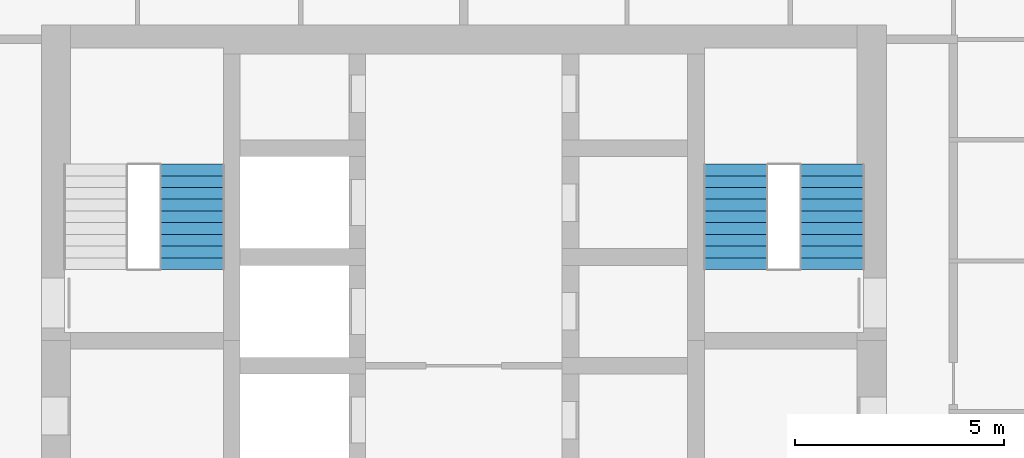
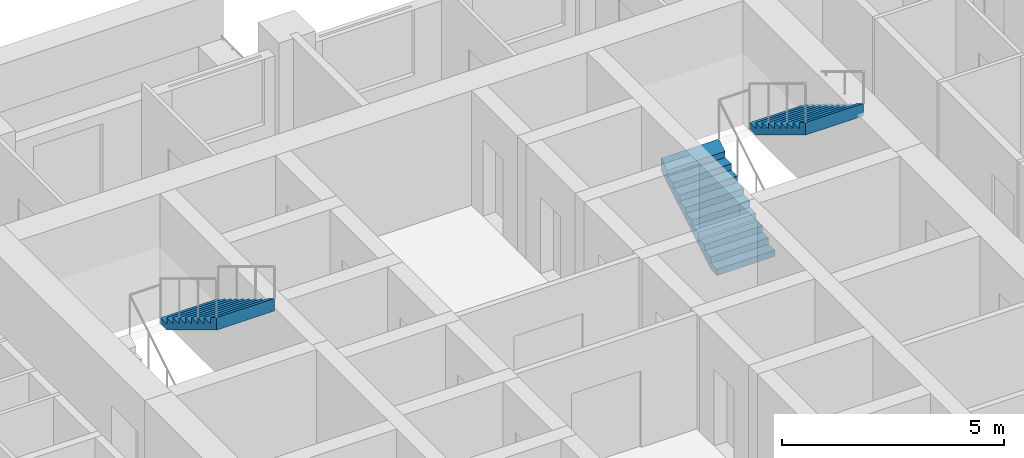
# One storey, part 16 of 19: 3 stair flights, 2 elements without a shape of their own.
"""IFC4 building model written with IfcOpenShell, lengths in metres."""

from ifc_helpers import new_model, si_unit, direction, frame, origin, place, context, subcontext, project, spatial, triangles, material, type_object, element, aggregate, save


model = new_model("IFC4")

# Units and contexts
model_context = context("Model", 3, precision=1e-05, world=origin(), true_north=direction((0.0, 1.0)))
body_context = subcontext(model_context, "Body", "Model", "MODEL_VIEW")
ifc_project = project(units=[si_unit("LENGTHUNIT", "METRE"), si_unit("AREAUNIT", "SQUARE_METRE"), si_unit("VOLUMEUNIT", "CUBIC_METRE"), si_unit("PLANEANGLEUNIT", "RADIAN"), si_unit("MASSUNIT", "GRAM", prefix="KILO")], contexts=[model_context])

# Site, building, storey
site_placement = place(None, origin())
site = spatial("IfcSite", under=ifc_project, at=site_placement, CompositionType="ELEMENT")
building_placement = place(site_placement, origin())
building = spatial("IfcBuilding", under=site, at=building_placement, Name="Ludao Terraces", CompositionType="ELEMENT")
storey_placement = place(building_placement, frame((0.0, 0.0, 68.199951171875)))
storey = spatial("IfcBuildingStorey", under=building, at=storey_placement, Name="L18", CompositionType="ELEMENT", Elevation=68.199951171875)

# Stair, stair flight
ifc_material = material(Name="Concrete C40", Category="concrete")
stair_type = type_object("IfcStairType", Name="INT Stair", PredefinedType="HALF_TURN_STAIR", material=ifc_material)
stair_1_placement = place(storey_placement, origin())
stair_1 = element("IfcStair", 1, at=stair_1_placement, inside=storey, type_object=stair_type, Name="EXIT STAIR 1", PredefinedType="HALF_TURN_STAIR")
stair_flight_type = type_object("IfcStairFlightType", Name="INT Stair flight", PredefinedType="STRAIGHT", material=ifc_material)
stair_flight_1_placement = place(storey_placement, frame((78.5, 81.52001953125, 1.699951171875), z_axis=(0.0, 0.0, 1.0), x_axis=(0.0, -1.0, 0.0)))
stair_flight_1 = element("IfcStairFlight", 2, at=stair_flight_1_placement, type_object=stair_flight_type, Name="ST1 flight 2", NumberOfRisers=10, NumberOfTreads=9, PredefinedType="STRAIGHT", RiserHeight=0.17, TreadLength=0.28, context=body_context, shape_type="Tessellation", body=[
    triangles([(0.0, -0.75, 0.0), (0.0, -0.5, 0.0), (0.0, -0.25, 0.0), (0.0, 0.0, 0.0), (0.0, 0.25, 0.0), (0.0, 0.5, 0.0), (0.0, 0.75, 0.0), (0.0, -0.75, 0.169921875), (0.0, -0.5, 0.169921875), (0.0, -0.25, 0.169921875), (0.0, 0.0, 0.169921875), (0.0, 0.25, 0.169921875), (0.0, 0.5, 0.169921875), (0.0, 0.75, 0.169921875), (0.280029296875, -0.75, 0.169921875), (0.280029296875, -0.5, 0.169921875), (0.280029296875, -0.25, 0.169921875), (0.280029296875, 0.0, 0.169921875), (0.280029296875, 0.25, 0.169921875), (0.280029296875, 0.5, 0.169921875), (0.280029296875, 0.75, 0.169921875), (0.280029296875, -0.75, 0.340087890625), (0.280029296875, -0.5, 0.340087890625), (0.280029296875, -0.25, 0.340087890625), (0.280029296875, 0.0, 0.340087890625), (0.280029296875, 0.25, 0.340087890625), (0.280029296875, 0.5, 0.340087890625), (0.280029296875, 0.75, 0.340087890625), (0.56005859375, -0.75, 0.340087890625), (0.56005859375, -0.5, 0.340087890625), (0.56005859375, -0.25, 0.340087890625), (0.56005859375, 0.0, 0.340087890625), (0.56005859375, 0.25, 0.340087890625), (0.56005859375, 0.5, 0.340087890625), (0.56005859375, 0.75, 0.340087890625), (0.56005859375, -0.75, 0.510009765625), (0.56005859375, -0.5, 0.510009765625), (0.56005859375, -0.25, 0.510009765625), (0.56005859375, 0.0, 0.510009765625), (0.56005859375, 0.25, 0.510009765625), (0.56005859375, 0.5, 0.510009765625), (0.56005859375, 0.75, 0.510009765625), (0.840087890625, -0.75, 0.510009765625), (0.840087890625, -0.5, 0.510009765625), (0.840087890625, -0.25, 0.510009765625), (0.840087890625, 0.0, 0.510009765625), (0.840087890625, 0.25, 0.510009765625), (0.840087890625, 0.5, 0.510009765625), (0.840087890625, 0.75, 0.510009765625), (0.840087890625, -0.75, 0.679931640625), (0.840087890625, -0.5, 0.679931640625), (0.840087890625, -0.25, 0.679931640625), (0.840087890625, 0.0, 0.679931640625), (0.840087890625, 0.25, 0.679931640625), (0.840087890625, 0.5, 0.679931640625), (0.840087890625, 0.75, 0.679931640625), (1.1201171875, -0.75, 0.679931640625), (1.1201171875, -0.5, 0.679931640625), (1.1201171875, -0.25, 0.679931640625), (1.1201171875, 0.0, 0.679931640625), (1.1201171875, 0.25, 0.679931640625), (1.1201171875, 0.5, 0.679931640625), (1.1201171875, 0.75, 0.679931640625), (1.1201171875, -0.75, 0.85009765625), (1.1201171875, -0.5, 0.85009765625), (1.1201171875, -0.25, 0.85009765625), (1.1201171875, 0.0, 0.85009765625), (1.1201171875, 0.25, 0.85009765625), (1.1201171875, 0.5, 0.85009765625), (1.1201171875, 0.75, 0.85009765625), (1.39990234375, -0.75, 0.85009765625), (1.39990234375, -0.5, 0.85009765625), (1.39990234375, -0.25, 0.85009765625), (1.39990234375, 0.0, 0.85009765625), (1.39990234375, 0.25, 0.85009765625), (1.39990234375, 0.5, 0.85009765625), (1.39990234375, 0.75, 0.85009765625), (1.39990234375, -0.75, 1.02001953125), (1.39990234375, -0.5, 1.02001953125), (1.39990234375, -0.25, 1.02001953125), (1.39990234375, 0.0, 1.02001953125), (1.39990234375, 0.25, 1.02001953125), (1.39990234375, 0.5, 1.02001953125), (1.39990234375, 0.75, 1.02001953125), (1.679931640625, -0.75, 1.02001953125), (1.679931640625, -0.5, 1.02001953125), (1.679931640625, -0.25, 1.02001953125), (1.679931640625, 0.0, 1.02001953125), (1.679931640625, 0.25, 1.02001953125), (1.679931640625, 0.5, 1.02001953125), (1.679931640625, 0.75, 1.02001953125), (1.679931640625, -0.75, 1.18994140625), (1.679931640625, -0.5, 1.18994140625), (1.679931640625, -0.25, 1.18994140625), (1.679931640625, 0.0, 1.18994140625), (1.679931640625, 0.25, 1.18994140625), (1.679931640625, 0.5, 1.18994140625), (1.679931640625, 0.75, 1.18994140625), (1.9599609375, -0.75, 1.18994140625), (1.9599609375, -0.5, 1.18994140625), (1.9599609375, -0.25, 1.18994140625), (1.9599609375, 0.0, 1.18994140625), (1.9599609375, 0.25, 1.18994140625), (1.9599609375, 0.5, 1.18994140625), (1.9599609375, 0.75, 1.18994140625), (1.9599609375, -0.75, 1.360107421875), (1.9599609375, -0.5, 1.360107421875), (1.9599609375, -0.25, 1.360107421875), (1.9599609375, 0.0, 1.360107421875), (1.9599609375, 0.25, 1.360107421875), (1.9599609375, 0.5, 1.360107421875), (1.9599609375, 0.75, 1.360107421875), (2.239990234375, -0.75, 1.360107421875), (2.239990234375, -0.5, 1.360107421875), (2.239990234375, -0.25, 1.360107421875), (2.239990234375, 0.0, 1.360107421875), (2.239990234375, 0.25, 1.360107421875), (2.239990234375, 0.5, 1.360107421875), (2.239990234375, 0.75, 1.360107421875), (2.239990234375, -0.75, 1.530029296875), (2.239990234375, -0.5, 1.530029296875), (2.239990234375, -0.25, 1.530029296875), (2.239990234375, 0.0, 1.530029296875), (2.239990234375, 0.25, 1.530029296875), (2.239990234375, 0.5, 1.530029296875), (2.239990234375, 0.75, 1.530029296875), (2.52001953125, -0.75, 1.699951171875), (2.52001953125, -0.5, 1.699951171875), (2.52001953125, -0.25, 1.699951171875), (2.52001953125, 0.0, 1.699951171875), (2.52001953125, 0.25, 1.699951171875), (2.52001953125, 0.5, 1.699951171875), (2.52001953125, 0.75, 1.699951171875), (2.52001953125, -0.75, 1.354736328125), (2.52001953125, -0.5, 1.354736328125), (2.52001953125, -0.25, 1.354736328125), (2.52001953125, 0.0, 1.354736328125), (2.52001953125, 0.25, 1.354736328125), (2.52001953125, 0.5, 1.354736328125), (2.52001953125, 0.75, 1.354736328125), (0.288818359375, -0.75, 0.0), (0.288818359375, -0.5, 0.0), (0.288818359375, -0.25, 0.0), (0.288818359375, 0.0, 0.0), (0.288818359375, 0.25, 0.0), (0.288818359375, 0.5, 0.0), (0.288818359375, 0.75, 0.0)], [[1, 141, 134], [7, 140, 147], [134, 127, 120], [140, 126, 133], [134, 120, 113], [140, 119, 126], [134, 113, 106], [140, 112, 119], [134, 106, 99], [140, 105, 112], [99, 92, 85], [105, 91, 98], [134, 99, 85], [140, 91, 105], [85, 78, 71], [91, 77, 84], [134, 85, 71], [140, 77, 91], [71, 64, 57], [77, 63, 70], [134, 71, 57], [140, 63, 77], [57, 50, 43], [63, 49, 56], [134, 57, 43], [140, 49, 63], [43, 36, 29], [49, 35, 42], [134, 43, 29], [140, 35, 49], [29, 22, 15], [35, 21, 28], [134, 29, 15], [140, 21, 35], [1, 134, 15], [7, 21, 140], [15, 8, 1], [21, 7, 14], [1, 9, 2], [1, 8, 9], [2, 10, 3], [2, 9, 10], [3, 11, 4], [3, 10, 11], [4, 12, 5], [4, 11, 12], [5, 13, 6], [5, 12, 13], [6, 14, 7], [6, 13, 14], [8, 16, 9], [8, 15, 16], [9, 17, 10], [9, 16, 17], [10, 18, 11], [10, 17, 18], [11, 19, 12], [11, 18, 19], [12, 20, 13], [12, 19, 20], [13, 21, 14], [13, 20, 21], [15, 23, 16], [15, 22, 23], [16, 24, 17], [16, 23, 24], [17, 25, 18], [17, 24, 25], [18, 26, 19], [18, 25, 26], [19, 27, 20], [19, 26, 27], [20, 28, 21], [20, 27, 28], [22, 30, 23], [22, 29, 30], [23, 31, 24], [23, 30, 31], [24, 32, 25], [24, 31, 32], [25, 33, 26], [25, 32, 33], [26, 34, 27], [26, 33, 34], [27, 35, 28], [27, 34, 35], [29, 37, 30], [29, 36, 37], [30, 38, 31], [30, 37, 38], [31, 39, 32], [31, 38, 39], [32, 40, 33], [32, 39, 40], [33, 41, 34], [33, 40, 41], [34, 42, 35], [34, 41, 42], [36, 44, 37], [36, 43, 44], [37, 45, 38], [37, 44, 45], [38, 46, 39], [38, 45, 46], [39, 47, 40], [39, 46, 47], [40, 48, 41], [40, 47, 48], [41, 49, 42], [41, 48, 49], [43, 51, 44], [43, 50, 51], [44, 52, 45], [44, 51, 52], [45, 53, 46], [45, 52, 53], [46, 54, 47], [46, 53, 54], [47, 55, 48], [47, 54, 55], [48, 56, 49], [48, 55, 56], [50, 58, 51], [50, 57, 58], [51, 59, 52], [51, 58, 59], [52, 60, 53], [52, 59, 60], [53, 61, 54], [53, 60, 61], [54, 62, 55], [54, 61, 62], [55, 63, 56], [55, 62, 63], [57, 65, 58], [57, 64, 65], [58, 66, 59], [58, 65, 66], [59, 67, 60], [59, 66, 67], [60, 68, 61], [60, 67, 68], [61, 69, 62], [61, 68, 69], [62, 70, 63], [62, 69, 70], [64, 72, 65], [64, 71, 72], [65, 73, 66], [65, 72, 73], [66, 74, 67], [66, 73, 74], [67, 75, 68], [67, 74, 75], [68, 76, 69], [68, 75, 76], [69, 77, 70], [69, 76, 77], [71, 79, 72], [71, 78, 79], [72, 80, 73], [72, 79, 80], [73, 81, 74], [73, 80, 81], [74, 82, 75], [74, 81, 82], [75, 83, 76], [75, 82, 83], [76, 84, 77], [76, 83, 84], [78, 86, 79], [78, 85, 86], [79, 87, 80], [79, 86, 87], [80, 88, 81], [80, 87, 88], [81, 89, 82], [81, 88, 89], [82, 90, 83], [82, 89, 90], [83, 91, 84], [83, 90, 91], [85, 93, 86], [85, 92, 93], [86, 94, 87], [86, 93, 94], [87, 95, 88], [87, 94, 95], [88, 96, 89], [88, 95, 96], [89, 97, 90], [89, 96, 97], [90, 98, 91], [90, 97, 98], [92, 100, 93], [92, 99, 100], [93, 101, 94], [93, 100, 101], [94, 102, 95], [94, 101, 102], [95, 103, 96], [95, 102, 103], [96, 104, 97], [96, 103, 104], [97, 105, 98], [97, 104, 105], [99, 107, 100], [99, 106, 107], [100, 108, 101], [100, 107, 108], [101, 109, 102], [101, 108, 109], [102, 110, 103], [102, 109, 110], [103, 111, 104], [103, 110, 111], [104, 112, 105], [104, 111, 112], [106, 114, 107], [106, 113, 114], [107, 115, 108], [107, 114, 115], [108, 116, 109], [108, 115, 116], [109, 117, 110], [109, 116, 117], [110, 118, 111], [110, 117, 118], [111, 119, 112], [111, 118, 119], [113, 121, 114], [113, 120, 121], [114, 122, 115], [114, 121, 122], [115, 123, 116], [115, 122, 123], [116, 124, 117], [116, 123, 124], [117, 125, 118], [117, 124, 125], [118, 126, 119], [118, 125, 126], [120, 128, 121], [120, 127, 128], [121, 129, 122], [121, 128, 129], [122, 130, 123], [122, 129, 130], [123, 131, 124], [123, 130, 131], [124, 132, 125], [124, 131, 132], [125, 133, 126], [125, 132, 133], [127, 135, 128], [127, 134, 135], [128, 136, 129], [128, 135, 136], [129, 137, 130], [129, 136, 137], [130, 138, 131], [130, 137, 138], [131, 139, 132], [131, 138, 139], [132, 140, 133], [132, 139, 140], [134, 142, 135], [134, 141, 142], [135, 143, 136], [135, 142, 143], [136, 144, 137], [136, 143, 144], [137, 145, 138], [137, 144, 145], [138, 146, 139], [138, 145, 146], [139, 147, 140], [139, 146, 147], [141, 2, 142], [141, 1, 2], [142, 3, 143], [142, 2, 3], [143, 4, 144], [143, 3, 4], [144, 5, 145], [144, 4, 5], [145, 6, 146], [145, 5, 6], [146, 7, 147], [146, 6, 7]], closed=True),
])
aggregate(stair_1, [stair_flight_1])

# Stair, stair flights
stair_2_placement = place(storey_placement, origin())
stair_2 = element("IfcStair", 3, at=stair_2_placement, inside=storey, type_object=stair_type, Name="EXIT STAIR 2", PredefinedType="HALF_TURN_STAIR")
stair_flight_2_placement = place(storey_placement, frame((91.5, 79.0, 0.0), z_axis=(0.0, 0.0, 1.0), x_axis=(0.0, 1.0, 0.0)))
stair_flight_2 = element("IfcStairFlight", 4, at=stair_flight_2_placement, type_object=stair_flight_type, Name="ST2 flight 1", NumberOfRisers=10, NumberOfTreads=9, PredefinedType="STRAIGHT", RiserHeight=0.17, TreadLength=0.28, context=body_context, shape_type="Tessellation", body=[
    triangles([(0.0, -0.75, 0.0), (0.0, -0.5, 0.0), (0.0, -0.25, 0.0), (0.0, 0.0, 0.0), (0.0, 0.25, 0.0), (0.0, 0.5, 0.0), (0.0, 0.75, 0.0), (0.0, -0.75, 0.169921875), (0.0, -0.5, 0.169921875), (0.0, -0.25, 0.169921875), (0.0, 0.0, 0.169921875), (0.0, 0.25, 0.169921875), (0.0, 0.5, 0.169921875), (0.0, 0.75, 0.169921875), (0.280029296875, -0.75, 0.169921875), (0.280029296875, -0.5, 0.169921875), (0.280029296875, -0.25, 0.169921875), (0.280029296875, 0.0, 0.169921875), (0.280029296875, 0.25, 0.169921875), (0.280029296875, 0.5, 0.169921875), (0.280029296875, 0.75, 0.169921875), (0.280029296875, -0.75, 0.340087890625), (0.280029296875, -0.5, 0.340087890625), (0.280029296875, -0.25, 0.340087890625), (0.280029296875, 0.0, 0.340087890625), (0.280029296875, 0.25, 0.340087890625), (0.280029296875, 0.5, 0.340087890625), (0.280029296875, 0.75, 0.340087890625), (0.56005859375, -0.75, 0.340087890625), (0.56005859375, -0.5, 0.340087890625), (0.56005859375, -0.25, 0.340087890625), (0.56005859375, 0.0, 0.340087890625), (0.56005859375, 0.25, 0.340087890625), (0.56005859375, 0.5, 0.340087890625), (0.56005859375, 0.75, 0.340087890625), (0.56005859375, -0.75, 0.510009765625), (0.56005859375, -0.5, 0.510009765625), (0.56005859375, -0.25, 0.510009765625), (0.56005859375, 0.0, 0.510009765625), (0.56005859375, 0.25, 0.510009765625), (0.56005859375, 0.5, 0.510009765625), (0.56005859375, 0.75, 0.510009765625), (0.840087890625, -0.75, 0.510009765625), (0.840087890625, -0.5, 0.510009765625), (0.840087890625, -0.25, 0.510009765625), (0.840087890625, 0.0, 0.510009765625), (0.840087890625, 0.25, 0.510009765625), (0.840087890625, 0.5, 0.510009765625), (0.840087890625, 0.75, 0.510009765625), (0.840087890625, -0.75, 0.679931640625), (0.840087890625, -0.5, 0.679931640625), (0.840087890625, -0.25, 0.679931640625), (0.840087890625, 0.0, 0.679931640625), (0.840087890625, 0.25, 0.679931640625), (0.840087890625, 0.5, 0.679931640625), (0.840087890625, 0.75, 0.679931640625), (1.1201171875, -0.75, 0.679931640625), (1.1201171875, -0.5, 0.679931640625), (1.1201171875, -0.25, 0.679931640625), (1.1201171875, 0.0, 0.679931640625), (1.1201171875, 0.25, 0.679931640625), (1.1201171875, 0.5, 0.679931640625), (1.1201171875, 0.75, 0.679931640625), (1.1201171875, -0.75, 0.85009765625), (1.1201171875, -0.5, 0.85009765625), (1.1201171875, -0.25, 0.85009765625), (1.1201171875, 0.0, 0.85009765625), (1.1201171875, 0.25, 0.85009765625), (1.1201171875, 0.5, 0.85009765625), (1.1201171875, 0.75, 0.85009765625), (1.39990234375, -0.75, 0.85009765625), (1.39990234375, -0.5, 0.85009765625), (1.39990234375, -0.25, 0.85009765625), (1.39990234375, 0.0, 0.85009765625), (1.39990234375, 0.25, 0.85009765625), (1.39990234375, 0.5, 0.85009765625), (1.39990234375, 0.75, 0.85009765625), (1.39990234375, -0.75, 1.02001953125), (1.39990234375, -0.5, 1.02001953125), (1.39990234375, -0.25, 1.02001953125), (1.39990234375, 0.0, 1.02001953125), (1.39990234375, 0.25, 1.02001953125), (1.39990234375, 0.5, 1.02001953125), (1.39990234375, 0.75, 1.02001953125), (1.679931640625, -0.75, 1.02001953125), (1.679931640625, -0.5, 1.02001953125), (1.679931640625, -0.25, 1.02001953125), (1.679931640625, 0.0, 1.02001953125), (1.679931640625, 0.25, 1.02001953125), (1.679931640625, 0.5, 1.02001953125), (1.679931640625, 0.75, 1.02001953125), (1.679931640625, -0.75, 1.18994140625), (1.679931640625, -0.5, 1.18994140625), (1.679931640625, -0.25, 1.18994140625), (1.679931640625, 0.0, 1.18994140625), (1.679931640625, 0.25, 1.18994140625), (1.679931640625, 0.5, 1.18994140625), (1.679931640625, 0.75, 1.18994140625), (1.9599609375, -0.75, 1.18994140625), (1.9599609375, -0.5, 1.18994140625), (1.9599609375, -0.25, 1.18994140625), (1.9599609375, 0.0, 1.18994140625), (1.9599609375, 0.25, 1.18994140625), (1.9599609375, 0.5, 1.18994140625), (1.9599609375, 0.75, 1.18994140625), (1.9599609375, -0.75, 1.360107421875), (1.9599609375, -0.5, 1.360107421875), (1.9599609375, -0.25, 1.360107421875), (1.9599609375, 0.0, 1.360107421875), (1.9599609375, 0.25, 1.360107421875), (1.9599609375, 0.5, 1.360107421875), (1.9599609375, 0.75, 1.360107421875), (2.239990234375, -0.75, 1.360107421875), (2.239990234375, -0.5, 1.360107421875), (2.239990234375, -0.25, 1.360107421875), (2.239990234375, 0.0, 1.360107421875), (2.239990234375, 0.25, 1.360107421875), (2.239990234375, 0.5, 1.360107421875), (2.239990234375, 0.75, 1.360107421875), (2.239990234375, -0.75, 1.530029296875), (2.239990234375, -0.5, 1.530029296875), (2.239990234375, -0.25, 1.530029296875), (2.239990234375, 0.0, 1.530029296875), (2.239990234375, 0.25, 1.530029296875), (2.239990234375, 0.5, 1.530029296875), (2.239990234375, 0.75, 1.530029296875), (2.52001953125, -0.75, 1.699951171875), (2.52001953125, -0.5, 1.699951171875), (2.52001953125, -0.25, 1.699951171875), (2.52001953125, 0.0, 1.699951171875), (2.52001953125, 0.25, 1.699951171875), (2.52001953125, 0.5, 1.699951171875), (2.52001953125, 0.75, 1.699951171875), (2.52001953125, -0.75, 1.354736328125), (2.52001953125, -0.5, 1.354736328125), (2.52001953125, -0.25, 1.354736328125), (2.52001953125, 0.0, 1.354736328125), (2.52001953125, 0.25, 1.354736328125), (2.52001953125, 0.5, 1.354736328125), (2.52001953125, 0.75, 1.354736328125), (0.288818359375, -0.75, 0.0), (0.288818359375, -0.5, 0.0), (0.288818359375, -0.25, 0.0), (0.288818359375, 0.0, 0.0), (0.288818359375, 0.25, 0.0), (0.288818359375, 0.5, 0.0), (0.288818359375, 0.75, 0.0)], [[1, 141, 134], [7, 140, 147], [134, 127, 120], [140, 126, 133], [134, 120, 113], [140, 119, 126], [134, 113, 106], [140, 112, 119], [134, 106, 99], [140, 105, 112], [99, 92, 85], [105, 91, 98], [134, 99, 85], [140, 91, 105], [85, 78, 71], [91, 77, 84], [134, 85, 71], [140, 77, 91], [71, 64, 57], [77, 63, 70], [134, 71, 57], [140, 63, 77], [57, 50, 43], [63, 49, 56], [134, 57, 43], [140, 49, 63], [43, 36, 29], [49, 35, 42], [134, 43, 29], [140, 35, 49], [29, 22, 15], [35, 21, 28], [134, 29, 15], [140, 21, 35], [1, 134, 15], [7, 21, 140], [15, 8, 1], [21, 7, 14], [1, 9, 2], [1, 8, 9], [2, 10, 3], [2, 9, 10], [3, 11, 4], [3, 10, 11], [4, 12, 5], [4, 11, 12], [5, 13, 6], [5, 12, 13], [6, 14, 7], [6, 13, 14], [8, 16, 9], [8, 15, 16], [9, 17, 10], [9, 16, 17], [10, 18, 11], [10, 17, 18], [11, 19, 12], [11, 18, 19], [12, 20, 13], [12, 19, 20], [13, 21, 14], [13, 20, 21], [15, 23, 16], [15, 22, 23], [16, 24, 17], [16, 23, 24], [17, 25, 18], [17, 24, 25], [18, 26, 19], [18, 25, 26], [19, 27, 20], [19, 26, 27], [20, 28, 21], [20, 27, 28], [22, 30, 23], [22, 29, 30], [23, 31, 24], [23, 30, 31], [24, 32, 25], [24, 31, 32], [25, 33, 26], [25, 32, 33], [26, 34, 27], [26, 33, 34], [27, 35, 28], [27, 34, 35], [29, 37, 30], [29, 36, 37], [30, 38, 31], [30, 37, 38], [31, 39, 32], [31, 38, 39], [32, 40, 33], [32, 39, 40], [33, 41, 34], [33, 40, 41], [34, 42, 35], [34, 41, 42], [36, 44, 37], [36, 43, 44], [37, 45, 38], [37, 44, 45], [38, 46, 39], [38, 45, 46], [39, 47, 40], [39, 46, 47], [40, 48, 41], [40, 47, 48], [41, 49, 42], [41, 48, 49], [43, 51, 44], [43, 50, 51], [44, 52, 45], [44, 51, 52], [45, 53, 46], [45, 52, 53], [46, 54, 47], [46, 53, 54], [47, 55, 48], [47, 54, 55], [48, 56, 49], [48, 55, 56], [50, 58, 51], [50, 57, 58], [51, 59, 52], [51, 58, 59], [52, 60, 53], [52, 59, 60], [53, 61, 54], [53, 60, 61], [54, 62, 55], [54, 61, 62], [55, 63, 56], [55, 62, 63], [57, 65, 58], [57, 64, 65], [58, 66, 59], [58, 65, 66], [59, 67, 60], [59, 66, 67], [60, 68, 61], [60, 67, 68], [61, 69, 62], [61, 68, 69], [62, 70, 63], [62, 69, 70], [64, 72, 65], [64, 71, 72], [65, 73, 66], [65, 72, 73], [66, 74, 67], [66, 73, 74], [67, 75, 68], [67, 74, 75], [68, 76, 69], [68, 75, 76], [69, 77, 70], [69, 76, 77], [71, 79, 72], [71, 78, 79], [72, 80, 73], [72, 79, 80], [73, 81, 74], [73, 80, 81], [74, 82, 75], [74, 81, 82], [75, 83, 76], [75, 82, 83], [76, 84, 77], [76, 83, 84], [78, 86, 79], [78, 85, 86], [79, 87, 80], [79, 86, 87], [80, 88, 81], [80, 87, 88], [81, 89, 82], [81, 88, 89], [82, 90, 83], [82, 89, 90], [83, 91, 84], [83, 90, 91], [85, 93, 86], [85, 92, 93], [86, 94, 87], [86, 93, 94], [87, 95, 88], [87, 94, 95], [88, 96, 89], [88, 95, 96], [89, 97, 90], [89, 96, 97], [90, 98, 91], [90, 97, 98], [92, 100, 93], [92, 99, 100], [93, 101, 94], [93, 100, 101], [94, 102, 95], [94, 101, 102], [95, 103, 96], [95, 102, 103], [96, 104, 97], [96, 103, 104], [97, 105, 98], [97, 104, 105], [99, 107, 100], [99, 106, 107], [100, 108, 101], [100, 107, 108], [101, 109, 102], [101, 108, 109], [102, 110, 103], [102, 109, 110], [103, 111, 104], [103, 110, 111], [104, 112, 105], [104, 111, 112], [106, 114, 107], [106, 113, 114], [107, 115, 108], [107, 114, 115], [108, 116, 109], [108, 115, 116], [109, 117, 110], [109, 116, 117], [110, 118, 111], [110, 117, 118], [111, 119, 112], [111, 118, 119], [113, 121, 114], [113, 120, 121], [114, 122, 115], [114, 121, 122], [115, 123, 116], [115, 122, 123], [116, 124, 117], [116, 123, 124], [117, 125, 118], [117, 124, 125], [118, 126, 119], [118, 125, 126], [120, 128, 121], [120, 127, 128], [121, 129, 122], [121, 128, 129], [122, 130, 123], [122, 129, 130], [123, 131, 124], [123, 130, 131], [124, 132, 125], [124, 131, 132], [125, 133, 126], [125, 132, 133], [127, 135, 128], [127, 134, 135], [128, 136, 129], [128, 135, 136], [129, 137, 130], [129, 136, 137], [130, 138, 131], [130, 137, 138], [131, 139, 132], [131, 138, 139], [132, 140, 133], [132, 139, 140], [134, 142, 135], [134, 141, 142], [135, 143, 136], [135, 142, 143], [136, 144, 137], [136, 143, 144], [137, 145, 138], [137, 144, 145], [138, 146, 139], [138, 145, 146], [139, 147, 140], [139, 146, 147], [141, 2, 142], [141, 1, 2], [142, 3, 143], [142, 2, 3], [143, 4, 144], [143, 3, 4], [144, 5, 145], [144, 4, 5], [145, 6, 146], [145, 5, 6], [146, 7, 147], [146, 6, 7]], closed=True),
])
stair_flight_3_placement = place(storey_placement, frame((93.800048828125, 81.52001953125, 1.699951171875), z_axis=(0.0, 0.0, 1.0), x_axis=(0.0, -1.0, 0.0)))
stair_flight_3 = element("IfcStairFlight", 5, at=stair_flight_3_placement, type_object=stair_flight_type, Name="ST2 flight 2", NumberOfRisers=10, NumberOfTreads=9, PredefinedType="STRAIGHT", RiserHeight=0.17, TreadLength=0.28, context=body_context, shape_type="Tessellation", body=[
    triangles([(0.0, -0.75, 0.0), (0.0, -0.5, 0.0), (0.0, -0.25, 0.0), (0.0, 0.0, 0.0), (0.0, 0.25, 0.0), (0.0, 0.5, 0.0), (0.0, 0.75, 0.0), (0.0, -0.75, 0.169921875), (0.0, -0.5, 0.169921875), (0.0, -0.25, 0.169921875), (0.0, 0.0, 0.169921875), (0.0, 0.25, 0.169921875), (0.0, 0.5, 0.169921875), (0.0, 0.75, 0.169921875), (0.280029296875, -0.75, 0.169921875), (0.280029296875, -0.5, 0.169921875), (0.280029296875, -0.25, 0.169921875), (0.280029296875, 0.0, 0.169921875), (0.280029296875, 0.25, 0.169921875), (0.280029296875, 0.5, 0.169921875), (0.280029296875, 0.75, 0.169921875), (0.280029296875, -0.75, 0.340087890625), (0.280029296875, -0.5, 0.340087890625), (0.280029296875, -0.25, 0.340087890625), (0.280029296875, 0.0, 0.340087890625), (0.280029296875, 0.25, 0.340087890625), (0.280029296875, 0.5, 0.340087890625), (0.280029296875, 0.75, 0.340087890625), (0.56005859375, -0.75, 0.340087890625), (0.56005859375, -0.5, 0.340087890625), (0.56005859375, -0.25, 0.340087890625), (0.56005859375, 0.0, 0.340087890625), (0.56005859375, 0.25, 0.340087890625), (0.56005859375, 0.5, 0.340087890625), (0.56005859375, 0.75, 0.340087890625), (0.56005859375, -0.75, 0.510009765625), (0.56005859375, -0.5, 0.510009765625), (0.56005859375, -0.25, 0.510009765625), (0.56005859375, 0.0, 0.510009765625), (0.56005859375, 0.25, 0.510009765625), (0.56005859375, 0.5, 0.510009765625), (0.56005859375, 0.75, 0.510009765625), (0.840087890625, -0.75, 0.510009765625), (0.840087890625, -0.5, 0.510009765625), (0.840087890625, -0.25, 0.510009765625), (0.840087890625, 0.0, 0.510009765625), (0.840087890625, 0.25, 0.510009765625), (0.840087890625, 0.5, 0.510009765625), (0.840087890625, 0.75, 0.510009765625), (0.840087890625, -0.75, 0.679931640625), (0.840087890625, -0.5, 0.679931640625), (0.840087890625, -0.25, 0.679931640625), (0.840087890625, 0.0, 0.679931640625), (0.840087890625, 0.25, 0.679931640625), (0.840087890625, 0.5, 0.679931640625), (0.840087890625, 0.75, 0.679931640625), (1.1201171875, -0.75, 0.679931640625), (1.1201171875, -0.5, 0.679931640625), (1.1201171875, -0.25, 0.679931640625), (1.1201171875, 0.0, 0.679931640625), (1.1201171875, 0.25, 0.679931640625), (1.1201171875, 0.5, 0.679931640625), (1.1201171875, 0.75, 0.679931640625), (1.1201171875, -0.75, 0.85009765625), (1.1201171875, -0.5, 0.85009765625), (1.1201171875, -0.25, 0.85009765625), (1.1201171875, 0.0, 0.85009765625), (1.1201171875, 0.25, 0.85009765625), (1.1201171875, 0.5, 0.85009765625), (1.1201171875, 0.75, 0.85009765625), (1.39990234375, -0.75, 0.85009765625), (1.39990234375, -0.5, 0.85009765625), (1.39990234375, -0.25, 0.85009765625), (1.39990234375, 0.0, 0.85009765625), (1.39990234375, 0.25, 0.85009765625), (1.39990234375, 0.5, 0.85009765625), (1.39990234375, 0.75, 0.85009765625), (1.39990234375, -0.75, 1.02001953125), (1.39990234375, -0.5, 1.02001953125), (1.39990234375, -0.25, 1.02001953125), (1.39990234375, 0.0, 1.02001953125), (1.39990234375, 0.25, 1.02001953125), (1.39990234375, 0.5, 1.02001953125), (1.39990234375, 0.75, 1.02001953125), (1.679931640625, -0.75, 1.02001953125), (1.679931640625, -0.5, 1.02001953125), (1.679931640625, -0.25, 1.02001953125), (1.679931640625, 0.0, 1.02001953125), (1.679931640625, 0.25, 1.02001953125), (1.679931640625, 0.5, 1.02001953125), (1.679931640625, 0.75, 1.02001953125), (1.679931640625, -0.75, 1.18994140625), (1.679931640625, -0.5, 1.18994140625), (1.679931640625, -0.25, 1.18994140625), (1.679931640625, 0.0, 1.18994140625), (1.679931640625, 0.25, 1.18994140625), (1.679931640625, 0.5, 1.18994140625), (1.679931640625, 0.75, 1.18994140625), (1.9599609375, -0.75, 1.18994140625), (1.9599609375, -0.5, 1.18994140625), (1.9599609375, -0.25, 1.18994140625), (1.9599609375, 0.0, 1.18994140625), (1.9599609375, 0.25, 1.18994140625), (1.9599609375, 0.5, 1.18994140625), (1.9599609375, 0.75, 1.18994140625), (1.9599609375, -0.75, 1.360107421875), (1.9599609375, -0.5, 1.360107421875), (1.9599609375, -0.25, 1.360107421875), (1.9599609375, 0.0, 1.360107421875), (1.9599609375, 0.25, 1.360107421875), (1.9599609375, 0.5, 1.360107421875), (1.9599609375, 0.75, 1.360107421875), (2.239990234375, -0.75, 1.360107421875), (2.239990234375, -0.5, 1.360107421875), (2.239990234375, -0.25, 1.360107421875), (2.239990234375, 0.0, 1.360107421875), (2.239990234375, 0.25, 1.360107421875), (2.239990234375, 0.5, 1.360107421875), (2.239990234375, 0.75, 1.360107421875), (2.239990234375, -0.75, 1.530029296875), (2.239990234375, -0.5, 1.530029296875), (2.239990234375, -0.25, 1.530029296875), (2.239990234375, 0.0, 1.530029296875), (2.239990234375, 0.25, 1.530029296875), (2.239990234375, 0.5, 1.530029296875), (2.239990234375, 0.75, 1.530029296875), (2.52001953125, -0.75, 1.699951171875), (2.52001953125, -0.5, 1.699951171875), (2.52001953125, -0.25, 1.699951171875), (2.52001953125, 0.0, 1.699951171875), (2.52001953125, 0.25, 1.699951171875), (2.52001953125, 0.5, 1.699951171875), (2.52001953125, 0.75, 1.699951171875), (2.52001953125, -0.75, 1.354736328125), (2.52001953125, -0.5, 1.354736328125), (2.52001953125, -0.25, 1.354736328125), (2.52001953125, 0.0, 1.354736328125), (2.52001953125, 0.25, 1.354736328125), (2.52001953125, 0.5, 1.354736328125), (2.52001953125, 0.75, 1.354736328125), (0.288818359375, -0.75, 0.0), (0.288818359375, -0.5, 0.0), (0.288818359375, -0.25, 0.0), (0.288818359375, 0.0, 0.0), (0.288818359375, 0.25, 0.0), (0.288818359375, 0.5, 0.0), (0.288818359375, 0.75, 0.0)], [[1, 141, 134], [7, 140, 147], [134, 127, 120], [140, 126, 133], [134, 120, 113], [140, 119, 126], [134, 113, 106], [140, 112, 119], [134, 106, 99], [140, 105, 112], [99, 92, 85], [105, 91, 98], [134, 99, 85], [140, 91, 105], [85, 78, 71], [91, 77, 84], [134, 85, 71], [140, 77, 91], [71, 64, 57], [77, 63, 70], [134, 71, 57], [140, 63, 77], [57, 50, 43], [63, 49, 56], [134, 57, 43], [140, 49, 63], [43, 36, 29], [49, 35, 42], [134, 43, 29], [140, 35, 49], [29, 22, 15], [35, 21, 28], [134, 29, 15], [140, 21, 35], [1, 134, 15], [7, 21, 140], [15, 8, 1], [21, 7, 14], [1, 9, 2], [1, 8, 9], [2, 10, 3], [2, 9, 10], [3, 11, 4], [3, 10, 11], [4, 12, 5], [4, 11, 12], [5, 13, 6], [5, 12, 13], [6, 14, 7], [6, 13, 14], [8, 16, 9], [8, 15, 16], [9, 17, 10], [9, 16, 17], [10, 18, 11], [10, 17, 18], [11, 19, 12], [11, 18, 19], [12, 20, 13], [12, 19, 20], [13, 21, 14], [13, 20, 21], [15, 23, 16], [15, 22, 23], [16, 24, 17], [16, 23, 24], [17, 25, 18], [17, 24, 25], [18, 26, 19], [18, 25, 26], [19, 27, 20], [19, 26, 27], [20, 28, 21], [20, 27, 28], [22, 30, 23], [22, 29, 30], [23, 31, 24], [23, 30, 31], [24, 32, 25], [24, 31, 32], [25, 33, 26], [25, 32, 33], [26, 34, 27], [26, 33, 34], [27, 35, 28], [27, 34, 35], [29, 37, 30], [29, 36, 37], [30, 38, 31], [30, 37, 38], [31, 39, 32], [31, 38, 39], [32, 40, 33], [32, 39, 40], [33, 41, 34], [33, 40, 41], [34, 42, 35], [34, 41, 42], [36, 44, 37], [36, 43, 44], [37, 45, 38], [37, 44, 45], [38, 46, 39], [38, 45, 46], [39, 47, 40], [39, 46, 47], [40, 48, 41], [40, 47, 48], [41, 49, 42], [41, 48, 49], [43, 51, 44], [43, 50, 51], [44, 52, 45], [44, 51, 52], [45, 53, 46], [45, 52, 53], [46, 54, 47], [46, 53, 54], [47, 55, 48], [47, 54, 55], [48, 56, 49], [48, 55, 56], [50, 58, 51], [50, 57, 58], [51, 59, 52], [51, 58, 59], [52, 60, 53], [52, 59, 60], [53, 61, 54], [53, 60, 61], [54, 62, 55], [54, 61, 62], [55, 63, 56], [55, 62, 63], [57, 65, 58], [57, 64, 65], [58, 66, 59], [58, 65, 66], [59, 67, 60], [59, 66, 67], [60, 68, 61], [60, 67, 68], [61, 69, 62], [61, 68, 69], [62, 70, 63], [62, 69, 70], [64, 72, 65], [64, 71, 72], [65, 73, 66], [65, 72, 73], [66, 74, 67], [66, 73, 74], [67, 75, 68], [67, 74, 75], [68, 76, 69], [68, 75, 76], [69, 77, 70], [69, 76, 77], [71, 79, 72], [71, 78, 79], [72, 80, 73], [72, 79, 80], [73, 81, 74], [73, 80, 81], [74, 82, 75], [74, 81, 82], [75, 83, 76], [75, 82, 83], [76, 84, 77], [76, 83, 84], [78, 86, 79], [78, 85, 86], [79, 87, 80], [79, 86, 87], [80, 88, 81], [80, 87, 88], [81, 89, 82], [81, 88, 89], [82, 90, 83], [82, 89, 90], [83, 91, 84], [83, 90, 91], [85, 93, 86], [85, 92, 93], [86, 94, 87], [86, 93, 94], [87, 95, 88], [87, 94, 95], [88, 96, 89], [88, 95, 96], [89, 97, 90], [89, 96, 97], [90, 98, 91], [90, 97, 98], [92, 100, 93], [92, 99, 100], [93, 101, 94], [93, 100, 101], [94, 102, 95], [94, 101, 102], [95, 103, 96], [95, 102, 103], [96, 104, 97], [96, 103, 104], [97, 105, 98], [97, 104, 105], [99, 107, 100], [99, 106, 107], [100, 108, 101], [100, 107, 108], [101, 109, 102], [101, 108, 109], [102, 110, 103], [102, 109, 110], [103, 111, 104], [103, 110, 111], [104, 112, 105], [104, 111, 112], [106, 114, 107], [106, 113, 114], [107, 115, 108], [107, 114, 115], [108, 116, 109], [108, 115, 116], [109, 117, 110], [109, 116, 117], [110, 118, 111], [110, 117, 118], [111, 119, 112], [111, 118, 119], [113, 121, 114], [113, 120, 121], [114, 122, 115], [114, 121, 122], [115, 123, 116], [115, 122, 123], [116, 124, 117], [116, 123, 124], [117, 125, 118], [117, 124, 125], [118, 126, 119], [118, 125, 126], [120, 128, 121], [120, 127, 128], [121, 129, 122], [121, 128, 129], [122, 130, 123], [122, 129, 130], [123, 131, 124], [123, 130, 131], [124, 132, 125], [124, 131, 132], [125, 133, 126], [125, 132, 133], [127, 135, 128], [127, 134, 135], [128, 136, 129], [128, 135, 136], [129, 137, 130], [129, 136, 137], [130, 138, 131], [130, 137, 138], [131, 139, 132], [131, 138, 139], [132, 140, 133], [132, 139, 140], [134, 142, 135], [134, 141, 142], [135, 143, 136], [135, 142, 143], [136, 144, 137], [136, 143, 144], [137, 145, 138], [137, 144, 145], [138, 146, 139], [138, 145, 146], [139, 147, 140], [139, 146, 147], [141, 2, 142], [141, 1, 2], [142, 3, 143], [142, 2, 3], [143, 4, 144], [143, 3, 4], [144, 5, 145], [144, 4, 5], [145, 6, 146], [145, 5, 6], [146, 7, 147], [146, 6, 7]], closed=True),
])
aggregate(stair_2, [stair_flight_2, stair_flight_3])

save(model, "model.ifc")
